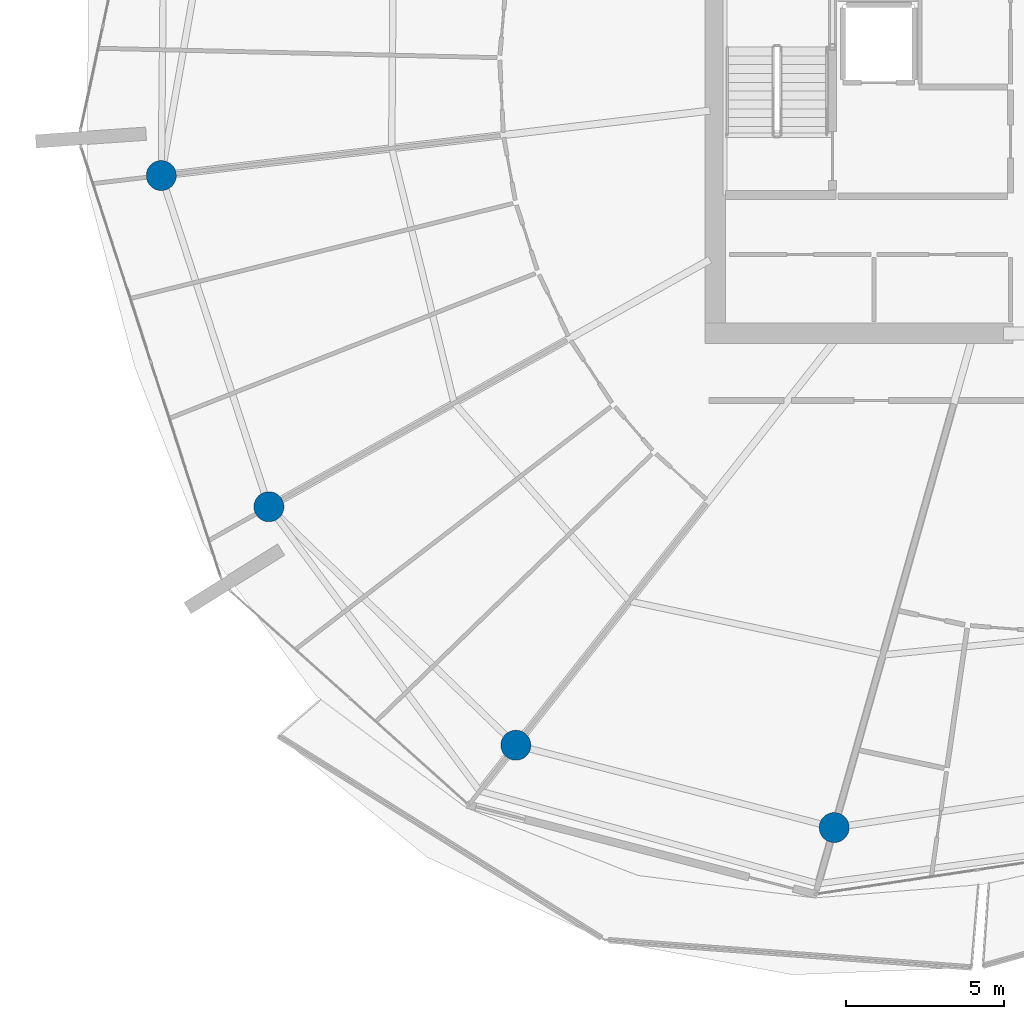
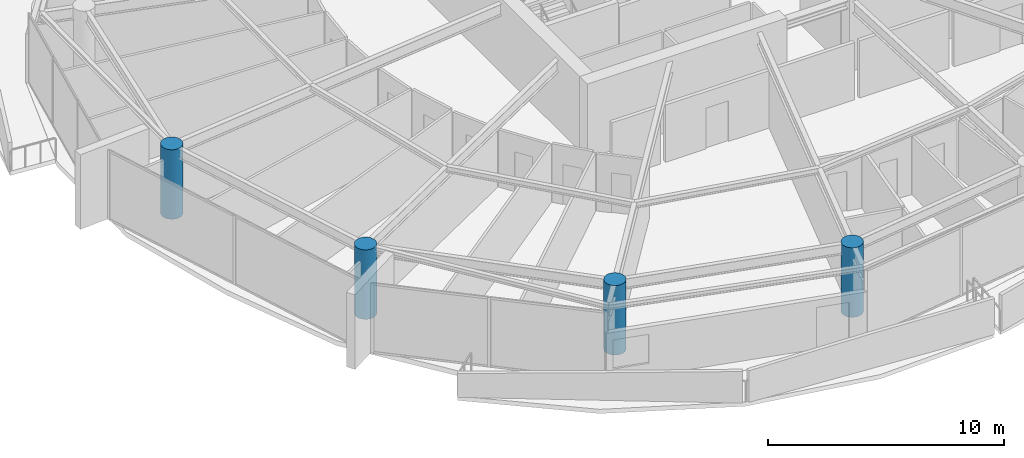
# One storey, part 1 of 30: 4 columns.
"""IFC4 building model written with IfcOpenShell, lengths in metres."""

from ifc_helpers import new_model, si_unit, direction, frame, origin, origin_2d, place, context, subcontext, project, spatial, circle, extrude, material, material_profile, profile_set, type_object, element, save


model = new_model("IFC4")

# Units and contexts
model_context = context("Model", 3, precision=1e-05, world=origin(), true_north=direction((0.0, 1.0)))
body_context = subcontext(model_context, "Body", "Model", "MODEL_VIEW")
ifc_project = project(units=[si_unit("LENGTHUNIT", "METRE"), si_unit("AREAUNIT", "SQUARE_METRE"), si_unit("VOLUMEUNIT", "CUBIC_METRE"), si_unit("PLANEANGLEUNIT", "RADIAN"), si_unit("MASSUNIT", "GRAM", prefix="KILO")], contexts=[model_context])

# Site, building, storey
site_placement = place(None, origin())
site = spatial("IfcSite", under=ifc_project, at=site_placement, CompositionType="ELEMENT")
building_placement = place(site_placement, origin())
building = spatial("IfcBuilding", under=site, at=building_placement, Name="Kazma Halo Residences", CompositionType="ELEMENT")
storey_placement = place(building_placement, frame((0.0, 0.0, 267.5)))
storey = spatial("IfcBuildingStorey", under=building, at=storey_placement, Name="L67", CompositionType="ELEMENT", Elevation=267.5)

# Columns
ifc_material = material(Name="Concrete C60/75", Category="concrete")
ifc_material_profile = material_profile(ifc_material, circle(Radius=0.47509765625, at=origin_2d()), Name="CIRC950")
ifc_profile_set = profile_set([ifc_material_profile], Name="Concrete C60/75")
column_type = type_object("IfcColumnType", Name="COL-PERIM-950", PredefinedType="COLUMN", material=ifc_profile_set)
for number, where, z_axis, x_axis, name in (
    (1, (19.92041015625, 38.676513671875, 0.0), (0.0, 0.0, 1.0), (1.0, 0.0, 0.0), "L67 perimeter ring column P08"),
    (2, (23.32958984375, 28.18408203125, 0.0), (0.0, 0.0, 1.0), (1.0, 0.0, 0.0), "L67 perimeter ring column P09"),
    (3, (31.15283203125, 20.62939453125, 0.0), (0.0, 0.0, 1.0), (1.0, 0.0, 0.0), "L67 perimeter ring column P10"),
    (4, (41.237060546875, 18.0205078125, 0.0), (0.0, 0.0, 1.0), (1.0, 0.0, 0.0), "L67 perimeter ring column P11"),
):
    element("IfcColumn", number, at=place(storey_placement, frame(where, z_axis=z_axis, x_axis=x_axis)), inside=storey, type_object=column_type, Name=name, PredefinedType="COLUMN", context=body_context, shape_type="SweptSolid", body=[
        extrude(circle(Radius=0.47509765625, at=origin_2d()), origin(), (0.0, 0.0, 1.0), 3.590087890625),
    ])

save(model, "model.ifc")
